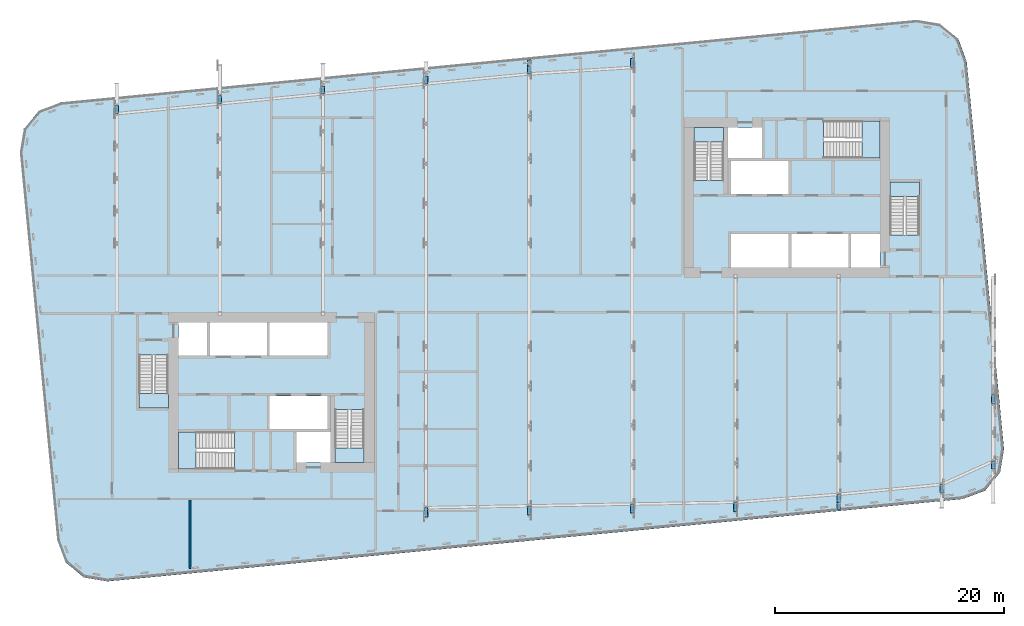
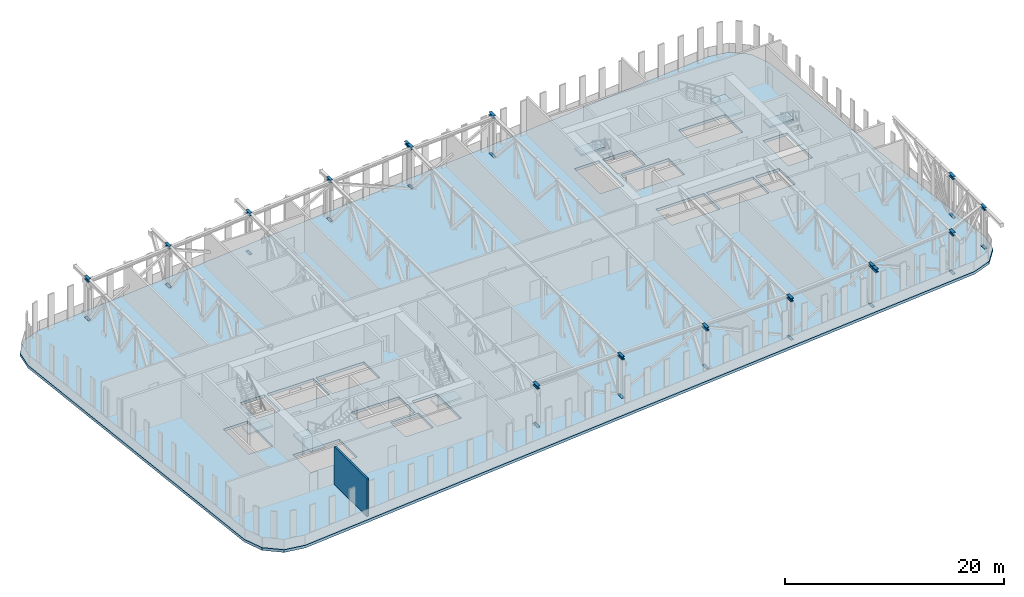
# One storey, part 7 of 26: 30 members, 7 slabs, 1 wall, 6 elements without a shape of their own.
"""IFC4 building model written with IfcOpenShell, lengths in metres."""

from ifc_helpers import new_model, si_unit, direction, frame, frame_2d, origin, origin_2d, place, context, subcontext, project, spatial, polyline, rectangle, i_section, outline, extrude, material, layer, layer_set, material_profile, profile_set, type_object, element, aggregate, save


model = new_model("IFC4")

# Units and contexts
model_context = context("Model", 3, precision=1e-05, world=origin(), true_north=direction((0.0, 1.0)))
body_context = subcontext(model_context, "Body", "Model", "MODEL_VIEW")
ifc_project = project(units=[si_unit("LENGTHUNIT", "METRE"), si_unit("AREAUNIT", "SQUARE_METRE"), si_unit("VOLUMEUNIT", "CUBIC_METRE"), si_unit("PLANEANGLEUNIT", "RADIAN"), si_unit("MASSUNIT", "GRAM", prefix="KILO")], contexts=[model_context])

# Site, building, storey
site_placement = place(None, origin())
site = spatial("IfcSite", under=ifc_project, at=site_placement, CompositionType="ELEMENT")
building_placement = place(site_placement, origin())
building = spatial("IfcBuilding", under=site, at=building_placement, Name="Kajstack Hotel Tower", CompositionType="ELEMENT")
storey_placement = place(building_placement, frame((0.0, 0.0, 206.5)))
storey = spatial("IfcBuildingStorey", under=building, at=storey_placement, Name="L50", CompositionType="ELEMENT", Elevation=206.5)

# Members
ifc_material_1 = material(Name="Steel S355J2", Category="steel")
ifc_material_profile_1 = material_profile(ifc_material_1, i_section(OverallWidth=0.280029296875, OverallDepth=0.280029296875, WebThickness=0.010498046875, FlangeThickness=0.01806640625, FilletRadius=0.02392578125, at=origin_2d()), Name="HEB 280")
ifc_profile_set_1 = profile_set([ifc_material_profile_1], Name="Steel S355J2")
member_type_1 = type_object("IfcMemberType", Name="Belt truss bottom chord BC4 HEB 280", PredefinedType="CHORD", material=ifc_profile_set_1)
member_1_placement = place(storey_placement, frame((-36.0, 15.822998046875, -0.139892578125), z_axis=(0.0, 1.0, 0.0), x_axis=(-1.0, 0.0, 0.0)))
element("IfcMember", 1, at=member_1_placement, inside=storey, type_object=member_type_1, Name="S-belt-truss-L50--36p0-1-bc13", PredefinedType="CHORD", context=body_context, shape_type="SweptSolid", body=[
    extrude(i_section(OverallWidth=0.280029296875, OverallDepth=0.280029296875, WebThickness=0.010498046875, FlangeThickness=0.01806640625, FilletRadius=0.02392578125, at=origin_2d()), origin(), (0.0, 0.0, 1.0), 0.7001953125),
])
for number, where, z_axis, x_axis, name in (
    (2, (-27.0, 16.689697265625, -0.139892578125), (0.0, 1.0, 0.0), (-1.0, 0.0, 0.0), "S-outrigger-truss-L50--27p0-1-bc13"),
    (3, (-18.0, 17.556396484375, -0.139892578125), (0.0, 1.0, 0.0), (-1.0, 0.0, 0.0), "S-outrigger-truss-L50--18p0-1-bc13"),
):
    element("IfcMember", number, at=place(storey_placement, frame(where, z_axis=z_axis, x_axis=x_axis)), inside=storey, type_object=member_type_1, Name=name, PredefinedType="CHORD", context=body_context, shape_type="SweptSolid", body=[
        extrude(i_section(OverallWidth=0.280029296875, OverallDepth=0.280029296875, WebThickness=0.010498046875, FlangeThickness=0.01806640625, FilletRadius=0.02392578125, at=origin_2d()), origin(), (0.0, 0.0, 1.0), 0.699951171875),
    ])
member_2_placement = place(storey_placement, frame((-9.0, -19.362548828125, -0.139892578125), z_axis=(0.0, 1.0, 0.0), x_axis=(-1.0, 0.0, 0.0)))
element("IfcMember", 4, at=member_2_placement, inside=storey, type_object=member_type_1, Name="S-belt-truss-L50--9p0-1-bc13", PredefinedType="CHORD", context=body_context, shape_type="SweptSolid", body=[
    extrude(i_section(OverallWidth=0.280029296875, OverallDepth=0.280029296875, WebThickness=0.010498046875, FlangeThickness=0.01806640625, FilletRadius=0.02392578125, at=origin_2d()), origin(), (0.0, 0.0, 1.0), 0.800048828125),
])
member_3_placement = place(storey_placement, frame((-9.0, 18.4228515625, -0.139892578125), z_axis=(0.0, 1.0, 0.0), x_axis=(-1.0, 0.0, 0.0)))
element("IfcMember", 5, at=member_3_placement, inside=storey, type_object=member_type_1, Name="S-belt-truss-L50--9p0-1-bc23", PredefinedType="CHORD", context=body_context, shape_type="SweptSolid", body=[
    extrude(i_section(OverallWidth=0.280029296875, OverallDepth=0.280029296875, WebThickness=0.010498046875, FlangeThickness=0.01806640625, FilletRadius=0.02392578125, at=origin_2d()), origin(), (0.0, 0.0, 1.0), 0.699951171875),
])
member_4_placement = place(storey_placement, frame((0.0, -19.205322265625, -0.139892578125), z_axis=(0.0, 1.0, 0.0), x_axis=(-1.0, 0.0, 0.0)))
element("IfcMember", 6, at=member_4_placement, inside=storey, type_object=member_type_1, Name="S-belt-truss-L50-+0p0-1-bc13", PredefinedType="CHORD", context=body_context, shape_type="SweptSolid", body=[
    extrude(i_section(OverallWidth=0.280029296875, OverallDepth=0.280029296875, WebThickness=0.010498046875, FlangeThickness=0.01806640625, FilletRadius=0.02392578125, at=origin_2d()), origin(), (0.0, 0.0, 1.0), 0.7998046875),
])
member_5_placement = place(storey_placement, frame((0.0, 19.28955078125, -0.139892578125), z_axis=(0.0, 1.0, 0.0), x_axis=(-1.0, 0.0, 0.0)))
element("IfcMember", 7, at=member_5_placement, inside=storey, type_object=member_type_1, Name="S-belt-truss-L50-+0p0-1-bc23", PredefinedType="CHORD", context=body_context, shape_type="SweptSolid", body=[
    extrude(i_section(OverallWidth=0.280029296875, OverallDepth=0.280029296875, WebThickness=0.010498046875, FlangeThickness=0.01806640625, FilletRadius=0.02392578125, at=origin_2d()), origin(), (0.0, 0.0, 1.0), 0.699951171875),
])
member_6_placement = place(storey_placement, frame((9.0, -19.04833984375, -0.139892578125), z_axis=(0.0, 1.0, 0.0), x_axis=(-1.0, 0.0, 0.0)))
element("IfcMember", 8, at=member_6_placement, inside=storey, type_object=member_type_1, Name="S-belt-truss-L50-+9p0-1-bc12", PredefinedType="CHORD", context=body_context, shape_type="SweptSolid", body=[
    extrude(i_section(OverallWidth=0.280029296875, OverallDepth=0.280029296875, WebThickness=0.010498046875, FlangeThickness=0.01806640625, FilletRadius=0.02392578125, at=origin_2d()), origin(), (0.0, 0.0, 1.0), 0.800048828125),
])
for number, where, z_axis, x_axis, name in (
    (9, (9.0, 19.85791015625, -0.139892578125), (0.0, 1.0, 0.0), (-1.0, 0.0, 0.0), "S-belt-truss-L50-+9p0-1-bc22"),
    (10, (18.0, -18.89111328125, -0.139892578125), (0.0, 1.0, 0.0), (-1.0, 0.0, 0.0), "S-outrigger-truss-L50-+18p0-1-bc7"),
):
    element("IfcMember", number, at=place(storey_placement, frame(where, z_axis=z_axis, x_axis=x_axis)), inside=storey, type_object=member_type_1, Name=name, PredefinedType="CHORD", context=body_context, shape_type="SweptSolid", body=[
        extrude(i_section(OverallWidth=0.280029296875, OverallDepth=0.280029296875, WebThickness=0.010498046875, FlangeThickness=0.01806640625, FilletRadius=0.02392578125, at=origin_2d()), origin(), (0.0, 0.0, 1.0), 0.7998046875),
    ])
for number, where, z_axis, x_axis, name in (
    (11, (27.0, -18.100830078125, -0.139892578125), (0.0, 1.0, 0.0), (-1.0, 0.0, 0.0), "S-outrigger-truss-L50-+27p0-1-bc8"),
    (12, (36.0, -17.234130859375, -0.139892578125), (0.0, 1.0, 0.0), (-1.0, 0.0, 0.0), "S-belt-truss-L50-+36p0-1-bc8"),
    (13, (40.5, -15.20263671875, -0.139892578125), (0.0, 1.0, 0.0), (-1.0, 0.0, 0.0), "S-belt-truss-L50-+40p5-1-bc11"),
):
    element("IfcMember", number, at=place(storey_placement, frame(where, z_axis=z_axis, x_axis=x_axis)), inside=storey, type_object=member_type_1, Name=name, PredefinedType="CHORD", context=body_context, shape_type="SweptSolid", body=[
        extrude(i_section(OverallWidth=0.280029296875, OverallDepth=0.280029296875, WebThickness=0.010498046875, FlangeThickness=0.01806640625, FilletRadius=0.02392578125, at=origin_2d()), origin(), (0.0, 0.0, 1.0), 0.699951171875),
    ])
member_7_placement = place(storey_placement, frame((40.5, -9.501220703125, -0.139892578125), z_axis=(0.0, 1.0, 0.0), x_axis=(-1.0, 0.0, 0.0)))
element("IfcMember", 14, at=member_7_placement, inside=storey, type_object=member_type_1, Name="S-belt-truss-L50-+40p5-1-bc14", PredefinedType="CHORD", context=body_context, shape_type="SweptSolid", body=[
    extrude(i_section(OverallWidth=0.280029296875, OverallDepth=0.280029296875, WebThickness=0.010498046875, FlangeThickness=0.01806640625, FilletRadius=0.02392578125, at=origin_2d()), origin(), (0.0, 0.0, 1.0), 0.806884765625),
])
ifc_material_profile_2 = material_profile(ifc_material_1, i_section(OverallWidth=0.300048828125, OverallDepth=0.340087890625, WebThickness=0.011962890625, FlangeThickness=0.021484375, FilletRadius=0.027099609375, at=origin_2d()), Name="HEB 340")
ifc_profile_set_2 = profile_set([ifc_material_profile_2], Name="Steel S355J2")
member_type_2 = type_object("IfcMemberType", Name="Belt truss top chord TC4 HEB 340", PredefinedType="CHORD", material=ifc_profile_set_2)
member_8_placement = place(storey_placement, frame((-36.0, 15.822998046875, 4.429931640625), z_axis=(0.0, 1.0, 0.0), x_axis=(-1.0, 0.0, 0.0)))
element("IfcMember", 15, at=member_8_placement, inside=storey, type_object=member_type_2, Name="S-belt-truss-L50--36p0-1-tc6", PredefinedType="CHORD", context=body_context, shape_type="SweptSolid", body=[
    extrude(i_section(OverallWidth=0.300048828125, OverallDepth=0.340087890625, WebThickness=0.011962890625, FlangeThickness=0.021484375, FilletRadius=0.027099609375, at=origin_2d()), origin(), (0.0, 0.0, 1.0), 0.7001953125),
])
for number, where, z_axis, x_axis, name in (
    (16, (-27.0, 16.689697265625, 4.429931640625), (0.0, 1.0, 0.0), (-1.0, 0.0, 0.0), "S-outrigger-truss-L50--27p0-1-tc6"),
    (17, (-18.0, 17.556396484375, 4.429931640625), (0.0, 1.0, 0.0), (-1.0, 0.0, 0.0), "S-outrigger-truss-L50--18p0-1-tc6"),
):
    element("IfcMember", number, at=place(storey_placement, frame(where, z_axis=z_axis, x_axis=x_axis)), inside=storey, type_object=member_type_2, Name=name, PredefinedType="CHORD", context=body_context, shape_type="SweptSolid", body=[
        extrude(i_section(OverallWidth=0.300048828125, OverallDepth=0.340087890625, WebThickness=0.011962890625, FlangeThickness=0.021484375, FilletRadius=0.027099609375, at=origin_2d()), origin(), (0.0, 0.0, 1.0), 0.699951171875),
    ])
member_9_placement = place(storey_placement, frame((-9.0, -19.362548828125, 4.429931640625), z_axis=(0.0, 1.0, 0.0), x_axis=(-1.0, 0.0, 0.0)))
element("IfcMember", 18, at=member_9_placement, inside=storey, type_object=member_type_2, Name="S-belt-truss-L50--9p0-1-tc1", PredefinedType="CHORD", context=body_context, shape_type="SweptSolid", body=[
    extrude(i_section(OverallWidth=0.300048828125, OverallDepth=0.340087890625, WebThickness=0.011962890625, FlangeThickness=0.021484375, FilletRadius=0.027099609375, at=origin_2d()), origin(), (0.0, 0.0, 1.0), 0.800048828125),
])
member_10_placement = place(storey_placement, frame((-9.0, 18.4228515625, 4.429931640625), z_axis=(0.0, 1.0, 0.0), x_axis=(-1.0, 0.0, 0.0)))
element("IfcMember", 19, at=member_10_placement, inside=storey, type_object=member_type_2, Name="S-belt-truss-L50--9p0-1-tc11", PredefinedType="CHORD", context=body_context, shape_type="SweptSolid", body=[
    extrude(i_section(OverallWidth=0.300048828125, OverallDepth=0.340087890625, WebThickness=0.011962890625, FlangeThickness=0.021484375, FilletRadius=0.027099609375, at=origin_2d()), origin(), (0.0, 0.0, 1.0), 0.699951171875),
])
member_11_placement = place(storey_placement, frame((0.0, -19.205322265625, 4.429931640625), z_axis=(0.0, 1.0, 0.0), x_axis=(-1.0, 0.0, 0.0)))
element("IfcMember", 20, at=member_11_placement, inside=storey, type_object=member_type_2, Name="S-belt-truss-L50-+0p0-1-tc1", PredefinedType="CHORD", context=body_context, shape_type="SweptSolid", body=[
    extrude(i_section(OverallWidth=0.300048828125, OverallDepth=0.340087890625, WebThickness=0.011962890625, FlangeThickness=0.021484375, FilletRadius=0.027099609375, at=origin_2d()), origin(), (0.0, 0.0, 1.0), 0.7998046875),
])
member_12_placement = place(storey_placement, frame((0.0, 19.28955078125, 4.429931640625), z_axis=(0.0, 1.0, 0.0), x_axis=(-1.0, 0.0, 0.0)))
element("IfcMember", 21, at=member_12_placement, inside=storey, type_object=member_type_2, Name="S-belt-truss-L50-+0p0-1-tc11", PredefinedType="CHORD", context=body_context, shape_type="SweptSolid", body=[
    extrude(i_section(OverallWidth=0.300048828125, OverallDepth=0.340087890625, WebThickness=0.011962890625, FlangeThickness=0.021484375, FilletRadius=0.027099609375, at=origin_2d()), origin(), (0.0, 0.0, 1.0), 0.699951171875),
])
member_13_placement = place(storey_placement, frame((0.0, 19.989501953125, 4.429931640625), z_axis=(0.0, 1.0, 0.0), x_axis=(-1.0, 0.0, 0.0)))
element("IfcMember", 22, at=member_13_placement, inside=storey, type_object=member_type_2, Name="S-belt-truss-L50-+0p0-1-tc12", PredefinedType="CHORD", context=body_context, shape_type="SweptSolid", body=[
    extrude(i_section(OverallWidth=0.300048828125, OverallDepth=0.340087890625, WebThickness=0.011962890625, FlangeThickness=0.021484375, FilletRadius=0.027099609375, at=origin_2d()), origin(), (0.0, 0.0, 1.0), 0.51123046875),
])
member_14_placement = place(storey_placement, frame((9.0, -19.04833984375, 4.429931640625), z_axis=(0.0, 1.0, 0.0), x_axis=(-1.0, 0.0, 0.0)))
element("IfcMember", 23, at=member_14_placement, inside=storey, type_object=member_type_2, Name="S-belt-truss-L50-+9p0-1-tc1", PredefinedType="CHORD", context=body_context, shape_type="SweptSolid", body=[
    extrude(i_section(OverallWidth=0.300048828125, OverallDepth=0.340087890625, WebThickness=0.011962890625, FlangeThickness=0.021484375, FilletRadius=0.027099609375, at=origin_2d()), origin(), (0.0, 0.0, 1.0), 0.800048828125),
])
for number, where, z_axis, x_axis, name in (
    (24, (9.0, 19.85791015625, 4.429931640625), (0.0, 1.0, 0.0), (-1.0, 0.0, 0.0), "S-belt-truss-L50-+9p0-1-tc11"),
    (25, (18.0, -18.89111328125, 4.429931640625), (0.0, 1.0, 0.0), (-1.0, 0.0, 0.0), "S-outrigger-truss-L50-+18p0-1-tc1"),
):
    element("IfcMember", number, at=place(storey_placement, frame(where, z_axis=z_axis, x_axis=x_axis)), inside=storey, type_object=member_type_2, Name=name, PredefinedType="CHORD", context=body_context, shape_type="SweptSolid", body=[
        extrude(i_section(OverallWidth=0.300048828125, OverallDepth=0.340087890625, WebThickness=0.011962890625, FlangeThickness=0.021484375, FilletRadius=0.027099609375, at=origin_2d()), origin(), (0.0, 0.0, 1.0), 0.7998046875),
    ])
member_15_placement = place(storey_placement, frame((27.0, -18.734130859375, 4.429931640625), z_axis=(0.0, 1.0, 0.0), x_axis=(-1.0, 0.0, 0.0)))
element("IfcMember", 26, at=member_15_placement, inside=storey, type_object=member_type_2, Name="S-outrigger-truss-L50-+27p0-1-tc1", PredefinedType="CHORD", context=body_context, shape_type="SweptSolid", body=[
    extrude(i_section(OverallWidth=0.300048828125, OverallDepth=0.340087890625, WebThickness=0.011962890625, FlangeThickness=0.021484375, FilletRadius=0.027099609375, at=origin_2d()), origin(), (0.0, 0.0, 1.0), 0.63330078125),
])
for number, where, z_axis, x_axis, name in (
    (27, (27.0, -18.100830078125, 4.429931640625), (0.0, 1.0, 0.0), (-1.0, 0.0, 0.0), "S-outrigger-truss-L50-+27p0-1-tc2"),
    (28, (36.0, -17.234130859375, 4.429931640625), (0.0, 1.0, 0.0), (-1.0, 0.0, 0.0), "S-belt-truss-L50-+36p0-1-tc2"),
    (29, (40.5, -15.20263671875, 4.429931640625), (0.0, 1.0, 0.0), (-1.0, 0.0, 0.0), "S-belt-truss-L50-+40p5-1-tc2"),
):
    element("IfcMember", number, at=place(storey_placement, frame(where, z_axis=z_axis, x_axis=x_axis)), inside=storey, type_object=member_type_2, Name=name, PredefinedType="CHORD", context=body_context, shape_type="SweptSolid", body=[
        extrude(i_section(OverallWidth=0.300048828125, OverallDepth=0.340087890625, WebThickness=0.011962890625, FlangeThickness=0.021484375, FilletRadius=0.027099609375, at=origin_2d()), origin(), (0.0, 0.0, 1.0), 0.699951171875),
    ])
member_16_placement = place(storey_placement, frame((40.5, -9.501220703125, 4.429931640625), z_axis=(0.0, 1.0, 0.0), x_axis=(-1.0, 0.0, 0.0)))
element("IfcMember", 30, at=member_16_placement, inside=storey, type_object=member_type_2, Name="S-belt-truss-L50-+40p5-1-tc5", PredefinedType="CHORD", context=body_context, shape_type="SweptSolid", body=[
    extrude(i_section(OverallWidth=0.300048828125, OverallDepth=0.340087890625, WebThickness=0.011962890625, FlangeThickness=0.021484375, FilletRadius=0.027099609375, at=origin_2d()), origin(), (0.0, 0.0, 1.0), 0.806884765625),
])

# Slab
ifc_material_2 = material(Name="Concrete C50/60", Category="concrete")
ifc_layer_1 = layer(ifc_material_2, 0.300048828125)
ifc_layer_set_1 = layer_set([ifc_layer_1], Name="RC slab 300 C50/60 band")
slab_type_1 = type_object("IfcSlabType", Name="RC slab 300 C50/60 band", PredefinedType="FLOOR", material=ifc_layer_set_1)
slab_1_placement = place(storey_placement, frame((0.0, 0.0, -0.300048828125)))
element("IfcSlab", 31, at=slab_1_placement, inside=storey, type_object=slab_type_1, Name="S-slab-L50", PredefinedType="FLOOR", context=body_context, shape_type="SweptSolid", body=[
    extrude(outline(polyline([(-44.438232421875, 12.444091796875), (-41.1796875, -21.3994140625), (-40.454345703125, -23.3388671875), (-38.856689453125, -24.65576171875), (-36.814697265625, -24.99755859375), (37.840087890625, -17.80908203125), (39.779541015625, -17.083984375), (41.0966796875, -15.486328125), (41.438232421875, -13.444091796875), (38.1796875, 20.3994140625), (37.454345703125, 22.3388671875), (35.856689453125, 23.65576171875), (33.814697265625, 23.99755859375), (-40.840087890625, 16.80908203125), (-42.779541015625, 16.083984375), (-44.0966796875, 14.486328125), (-44.438232421875, 12.444091796875)]), holes=[polyline([(-22.64990234375, -11.699951171875), (-22.64990234375, -8.800048828125), (-17.60009765625, -8.800048828125), (-17.60009765625, -11.699951171875), (-22.64990234375, -11.699951171875)]), polyline([(-27.85009765625, -5.300048828125), (-27.85009765625, -2.39990234375), (-22.89990234375, -2.39990234375), (-22.89990234375, -5.300048828125), (-27.85009765625, -5.300048828125)]), polyline([(-22.64990234375, -5.300048828125), (-22.64990234375, -2.39990234375), (-17.60009765625, -2.39990234375), (-17.60009765625, -5.300048828125), (-22.64990234375, -5.300048828125)]), polyline([(-20.300048828125, -14.60009765625), (-17.35009765625, -14.60009765625), (-17.35009765625, -11.949951171875), (-20.300048828125, -11.949951171875), (-20.300048828125, -14.60009765625)]), polyline([(-30.60009765625, -5.300048828125), (-28.10009765625, -5.300048828125), (-28.10009765625, -2.39990234375), (-30.60009765625, -2.39990234375), (-30.60009765625, -5.300048828125)]), polyline([(17.60009765625, 8.800048828125), (17.60009765625, 11.699951171875), (22.64990234375, 11.699951171875), (22.64990234375, 8.800048828125), (17.60009765625, 8.800048828125)]), polyline([(22.89990234375, 2.39990234375), (22.89990234375, 5.300048828125), (27.85009765625, 5.300048828125), (27.85009765625, 2.39990234375), (22.89990234375, 2.39990234375)]), polyline([(17.60009765625, 2.39990234375), (17.60009765625, 5.300048828125), (22.64990234375, 5.300048828125), (22.64990234375, 2.39990234375), (17.60009765625, 2.39990234375)]), polyline([(20.300048828125, 14.60009765625), (17.35009765625, 14.60009765625), (17.35009765625, 11.949951171875), (20.300048828125, 11.949951171875), (20.300048828125, 14.60009765625)]), polyline([(30.60009765625, 5.300048828125), (28.10009765625, 5.300048828125), (28.10009765625, 2.39990234375), (30.60009765625, 2.39990234375), (30.60009765625, 5.300048828125)]), polyline([(-34.050048828125, -9.85009765625), (-31.5, -9.85009765625), (-31.5, -5.25), (-34.050048828125, -5.25), (-34.050048828125, -9.85009765625)]), polyline([(-16.949951171875, -14.60009765625), (-14.39990234375, -14.60009765625), (-14.39990234375, -10.0), (-16.949951171875, -10.0), (-16.949951171875, -14.60009765625)]), polyline([(-30.60009765625, -15.199951171875), (-25.699951171875, -15.199951171875), (-25.699951171875, -11.949951171875), (-30.60009765625, -11.949951171875), (-30.60009765625, -15.199951171875)]), polyline([(34.050048828125, 9.85009765625), (31.5, 9.85009765625), (31.5, 5.25), (34.050048828125, 5.25), (34.050048828125, 9.85009765625)]), polyline([(16.949951171875, 14.60009765625), (14.39990234375, 14.60009765625), (14.39990234375, 10.0), (16.949951171875, 10.0), (16.949951171875, 14.60009765625)]), polyline([(30.60009765625, 15.199951171875), (25.699951171875, 15.199951171875), (25.699951171875, 11.949951171875), (30.60009765625, 11.949951171875), (30.60009765625, 15.199951171875)])]), origin(), (0.0, 0.0, 1.0), 0.300048828125),
])

# Stair, slab
ifc_material_3 = material(Name="Concrete C40/50", Category="concrete")
stair_type_1 = type_object("IfcStairType", Name="Exit stair 1200", PredefinedType="HALF_TURN_STAIR", material=ifc_material_3)
stair_1_placement = place(storey_placement, origin())
stair_1 = element("IfcStair", 32, at=stair_1_placement, inside=storey, type_object=stair_type_1, Name="L50 stair W1", PredefinedType="HALF_TURN_STAIR")
ifc_layer_2 = layer(ifc_material_3, 0.199951171875)
ifc_layer_set_2 = layer_set([ifc_layer_2], Name="Stair landing 200")
slab_type_2 = type_object("IfcSlabType", Name="Stair landing 200", PredefinedType="LANDING", material=ifc_layer_set_2)
slab_2_placement = place(storey_placement, frame((0.0, 0.0, 2.10009765625)))
slab_2 = element("IfcSlab", 33, at=slab_2_placement, type_object=slab_type_2, Name="W1 landing 1", PredefinedType="LANDING", context=body_context, shape_type="SweptSolid", body=[
    extrude(outline(polyline([(-34.050048828125, -8.610107421875), (-34.050048828125, -9.85009765625), (-31.5, -9.85009765625), (-31.5, -8.610107421875), (-34.050048828125, -8.610107421875)])), origin(), (0.0, 0.0, 1.0), 0.199951171875),
])
aggregate(stair_1, [slab_2])

stair_2_placement = place(storey_placement, origin())
stair_2 = element("IfcStair", 34, at=stair_2_placement, inside=storey, type_object=stair_type_1, Name="L50 stair W2", PredefinedType="HALF_TURN_STAIR")
slab_3_placement = place(storey_placement, frame((0.0, 0.0, 2.10009765625)))
slab_3 = element("IfcSlab", 35, at=slab_3_placement, type_object=slab_type_2, Name="W2 landing 1", PredefinedType="LANDING", context=body_context, shape_type="SweptSolid", body=[
    extrude(outline(polyline([(-16.949951171875, -13.360107421875), (-16.949951171875, -14.60009765625), (-14.39990234375, -14.60009765625), (-14.39990234375, -13.360107421875), (-16.949951171875, -13.360107421875)])), origin(), (0.0, 0.0, 1.0), 0.199951171875),
])
aggregate(stair_2, [slab_3])

stair_type_2 = type_object("IfcStairType", Name="Exit stair 1500", PredefinedType="HALF_TURN_STAIR", material=ifc_material_3)
stair_3_placement = place(storey_placement, origin())
stair_3 = element("IfcStair", 36, at=stair_3_placement, inside=storey, type_object=stair_type_2, Name="L50 stair W3", PredefinedType="HALF_TURN_STAIR")
slab_4_placement = place(storey_placement, frame((0.0, 0.0, 2.10009765625)))
slab_4 = element("IfcSlab", 37, at=slab_4_placement, type_object=slab_type_2, Name="W3 landing 1", PredefinedType="LANDING", context=body_context, shape_type="SweptSolid", body=[
    extrude(outline(polyline([(-29.06005859375, -11.949951171875), (-30.60009765625, -11.949951171875), (-30.60009765625, -15.199951171875), (-29.06005859375, -15.199951171875), (-29.06005859375, -11.949951171875)])), origin(), (0.0, 0.0, 1.0), 0.199951171875),
])
aggregate(stair_3, [slab_4])

stair_4_placement = place(storey_placement, origin())
stair_4 = element("IfcStair", 38, at=stair_4_placement, inside=storey, type_object=stair_type_1, Name="L50 stair E1", PredefinedType="HALF_TURN_STAIR")
slab_5_placement = place(storey_placement, frame((0.0, 0.0, 2.10009765625)))
slab_5 = element("IfcSlab", 39, at=slab_5_placement, type_object=slab_type_2, Name="E1 landing 1", PredefinedType="LANDING", context=body_context, shape_type="SweptSolid", body=[
    extrude(outline(polyline([(34.050048828125, 8.610107421875), (34.050048828125, 9.85009765625), (31.5, 9.85009765625), (31.5, 8.610107421875), (34.050048828125, 8.610107421875)])), origin(), (0.0, 0.0, 1.0), 0.199951171875),
])
aggregate(stair_4, [slab_5])

stair_5_placement = place(storey_placement, origin())
stair_5 = element("IfcStair", 40, at=stair_5_placement, inside=storey, type_object=stair_type_1, Name="L50 stair E2", PredefinedType="HALF_TURN_STAIR")
slab_6_placement = place(storey_placement, frame((0.0, 0.0, 2.10009765625)))
slab_6 = element("IfcSlab", 41, at=slab_6_placement, type_object=slab_type_2, Name="E2 landing 1", PredefinedType="LANDING", context=body_context, shape_type="SweptSolid", body=[
    extrude(outline(polyline([(16.949951171875, 13.360107421875), (16.949951171875, 14.60009765625), (14.39990234375, 14.60009765625), (14.39990234375, 13.360107421875), (16.949951171875, 13.360107421875)])), origin(), (0.0, 0.0, 1.0), 0.199951171875),
])
aggregate(stair_5, [slab_6])

stair_6_placement = place(storey_placement, origin())
stair_6 = element("IfcStair", 42, at=stair_6_placement, inside=storey, type_object=stair_type_2, Name="L50 stair E3", PredefinedType="HALF_TURN_STAIR")
slab_7_placement = place(storey_placement, frame((0.0, 0.0, 2.10009765625)))
slab_7 = element("IfcSlab", 43, at=slab_7_placement, type_object=slab_type_2, Name="E3 landing 1", PredefinedType="LANDING", context=body_context, shape_type="SweptSolid", body=[
    extrude(outline(polyline([(29.06005859375, 11.949951171875), (30.60009765625, 11.949951171875), (30.60009765625, 15.199951171875), (29.06005859375, 15.199951171875), (29.06005859375, 11.949951171875)])), origin(), (0.0, 0.0, 1.0), 0.199951171875),
])
aggregate(stair_6, [slab_7])

# Wall
ifc_material_4 = material(Name="Gypsum board on steel studs, mineral wool", Category="steel")
ifc_layer_3 = layer(ifc_material_4, 0.199951171875)
ifc_layer_set_3 = layer_set([ifc_layer_3], Name="Service partition 200")
wall_type = type_object("IfcWallType", Name="Service partition 200", PredefinedType="PARTITIONING", material=ifc_layer_set_3)
wall_placement = place(storey_placement, frame((-29.60009765625, -23.851806640625, 0.0), z_axis=(0.0, 0.0, 1.0), x_axis=(0.0, 1.0, 0.0)))
element("IfcWall", 44, at=wall_placement, inside=storey, type_object=wall_type, Name="Partition W SLP0", PredefinedType="PARTITIONING", context=body_context, shape_type="SweptSolid", body=[
    extrude(rectangle(XDim=5.951904296875, YDim=0.199951171875, at=frame_2d((2.97607421875, 0.0))), origin(), (0.0, 0.0, 1.0), 4.199951171875),
])

save(model, "model.ifc")
